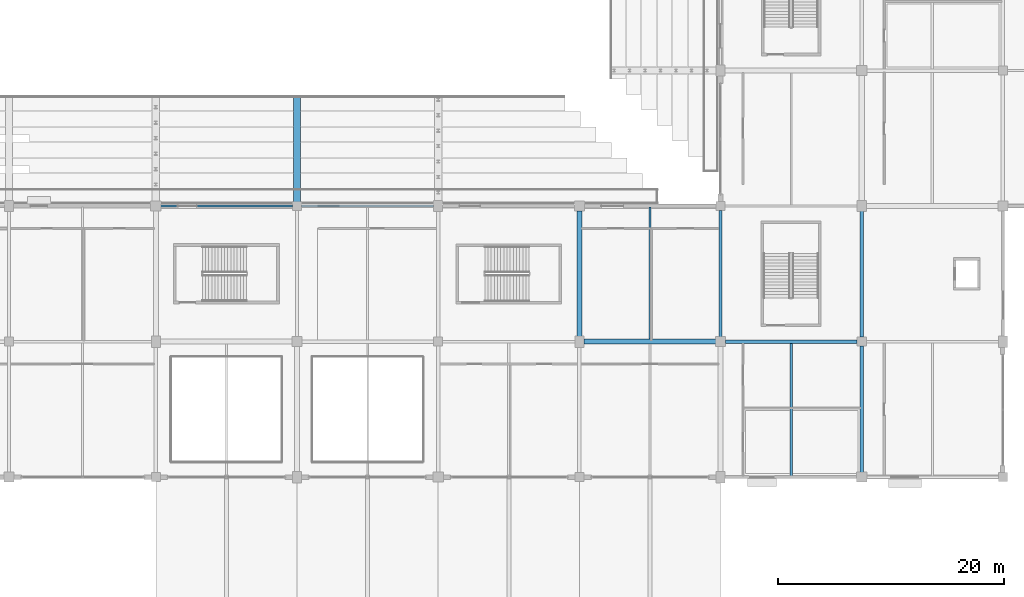
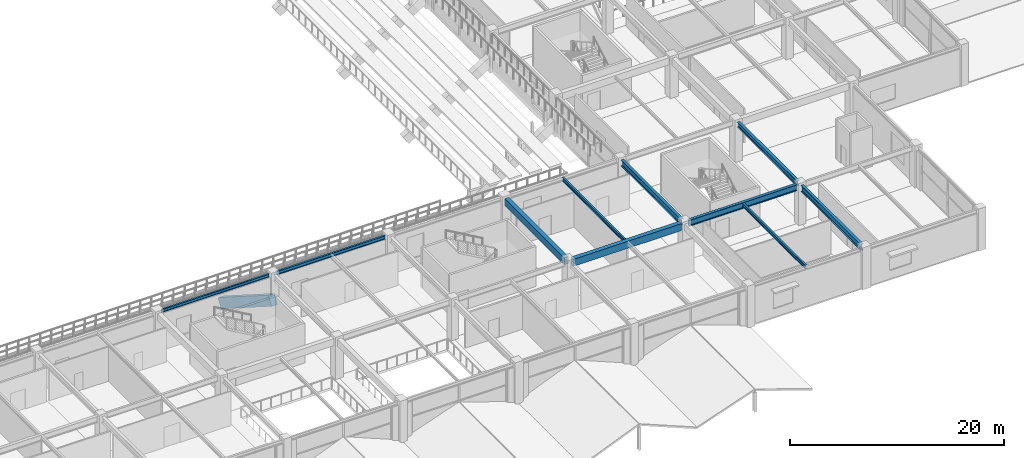
# One storey, part 32 of 134: 11 beams.
"""IFC4 building model written with IfcOpenShell, lengths in metres."""

from ifc_helpers import new_model, si_unit, direction, frame, origin, origin_2d, place, context, subcontext, project, spatial, rectangle, i_section, extrude, material, material_profile, profile_set, type_object, element, save


model = new_model("IFC4")

# Units and contexts
model_context = context("Model", 3, precision=1e-05, world=origin(), true_north=direction((0.0, 1.0)))
body_context = subcontext(model_context, "Body", "Model", "MODEL_VIEW")
ifc_project = project(units=[si_unit("LENGTHUNIT", "METRE"), si_unit("AREAUNIT", "SQUARE_METRE"), si_unit("VOLUMEUNIT", "CUBIC_METRE"), si_unit("PLANEANGLEUNIT", "RADIAN"), si_unit("MASSUNIT", "GRAM", prefix="KILO")], contexts=[model_context])

# Site, building, storey
site_placement = place(None, origin())
site = spatial("IfcSite", under=ifc_project, at=site_placement, CompositionType="ELEMENT")
building_placement = place(site_placement, origin())
building = spatial("IfcBuilding", under=site, at=building_placement, Name="Kazenohara Klinker Stadium", CompositionType="ELEMENT")
storey_placement = place(building_placement, frame((0.0, 0.0, 5.39990234375)))
storey = spatial("IfcBuildingStorey", under=building, at=storey_placement, Name="L01", CompositionType="ELEMENT", Elevation=5.39990234375)

# Beams
ifc_material_1 = material(Name="Steel S355", Category="steel")
ifc_material_profile_1 = material_profile(ifc_material_1, i_section(OverallWidth=0.199951171875, OverallDepth=0.39990234375, WebThickness=0.008056640625, FlangeThickness=0.012939453125, FilletRadius=0.012939453125, at=origin_2d()), Name="H-400x200x8x13")
ifc_profile_set_1 = profile_set([ifc_material_profile_1], Name="Steel S355")
beam_type_1 = type_object("IfcBeamType", Name="BM-JST03", PredefinedType="JOIST", material=ifc_profile_set_1)
beam_1_placement = place(storey_placement, frame((168.75, 24.22509765625, 4.35009765625), z_axis=(0.0, 1.0, 0.0), x_axis=(-1.0, 0.0, 0.0)))
element("IfcBeam", 1, at=beam_1_placement, inside=storey, type_object=beam_type_1, Name="Secondary floor joist SJ03 L01 14/C", PredefinedType="JOIST", context=body_context, shape_type="SweptSolid", body=[
    extrude(i_section(OverallWidth=0.199951171875, OverallDepth=0.39990234375, WebThickness=0.008056640625, FlangeThickness=0.012939453125, FilletRadius=0.012939453125, at=origin_2d()), origin(), (0.0, 0.0, 1.0), 11.6748046875),
])
beam_2_placement = place(storey_placement, frame((181.25, 12.08740234375, 4.35009765625), z_axis=(0.0, 1.0, 0.0), x_axis=(-1.0, 0.0, 0.0)))
element("IfcBeam", 2, at=beam_2_placement, inside=storey, type_object=beam_type_1, Name="Secondary floor joist SJ03 L01 15/B", PredefinedType="JOIST", context=body_context, shape_type="SweptSolid", body=[
    extrude(i_section(OverallWidth=0.199951171875, OverallDepth=0.39990234375, WebThickness=0.008056640625, FlangeThickness=0.012939453125, FilletRadius=0.012939453125, at=origin_2d()), origin(), (0.0, 0.0, 1.0), 11.7626953125),
])
ifc_material_2 = material(Name="Concrete C40/50", Category="concrete")
ifc_material_profile_2 = material_profile(ifc_material_2, rectangle(XDim=0.449951171875, YDim=0.800048828125, at=origin_2d()), Name="RC-BM-450x800")
ifc_profile_set_2 = profile_set([ifc_material_profile_2], Name="Concrete C40/50")
beam_type_2 = type_object("IfcBeamType", Name="BM-RC03", PredefinedType="BEAM", material=ifc_profile_set_2)
beam_3_placement = place(storey_placement, frame((162.89990234375, 24.0, 4.150146484375), z_axis=(1.0, 0.0, 0.0), x_axis=(0.0, 1.0, 0.0)))
element("IfcBeam", 3, at=beam_3_placement, inside=storey, type_object=beam_type_2, Name="Primary girder BG03 L01 14-15/C", PredefinedType="BEAM", context=body_context, shape_type="SweptSolid", body=[
    extrude(rectangle(XDim=0.449951171875, YDim=0.800048828125, at=origin_2d()), origin(), (0.0, 0.0, 1.0), 11.68017578125),
])
beam_4_placement = place(storey_placement, frame((162.5, 24.419921875, 4.150146484375), z_axis=(0.0, 1.0, 0.0), x_axis=(-1.0, 0.0, 0.0)))
element("IfcBeam", 4, at=beam_4_placement, inside=storey, type_object=beam_type_2, Name="Primary girder BG03 L01 14/C-D", PredefinedType="BEAM", context=body_context, shape_type="SweptSolid", body=[
    extrude(rectangle(XDim=0.449951171875, YDim=0.800048828125, at=origin_2d()), origin(), (0.0, 0.0, 1.0), 11.16015625),
])
ifc_material_profile_3 = material_profile(ifc_material_1, i_section(OverallWidth=0.199951171875, OverallDepth=0.39990234375, WebThickness=0.008056640625, FlangeThickness=0.012939453125, FilletRadius=0.012939453125, at=origin_2d()), Name="H-400x200x8x13")
ifc_profile_set_3 = profile_set([ifc_material_profile_3], Name="Steel S355")
beam_type_3 = type_object("IfcBeamType", Name="BM-SPD01", PredefinedType="SPANDREL", material=ifc_profile_set_3)
beam_5_placement = place(storey_placement, frame((137.89990234375, 36.0, 4.35009765625), z_axis=(1.0, 0.0, 0.0), x_axis=(0.0, 1.0, 0.0)))
element("IfcBeam", 5, at=beam_5_placement, inside=storey, type_object=beam_type_3, Name="Primary girder SP01 L01 12-13/D", PredefinedType="SPANDREL", context=body_context, shape_type="SweptSolid", body=[
    extrude(i_section(OverallWidth=0.199951171875, OverallDepth=0.39990234375, WebThickness=0.008056640625, FlangeThickness=0.012939453125, FilletRadius=0.012939453125, at=origin_2d()), origin(), (0.0, 0.0, 1.0), 11.7001953125),
])
ifc_material_profile_4 = material_profile(ifc_material_1, i_section(OverallWidth=0.175048828125, OverallDepth=0.35009765625, WebThickness=0.007080078125, FlangeThickness=0.010986328125, FilletRadius=0.012939453125, at=origin_2d()), Name="H-350x175x7x11")
ifc_profile_set_4 = profile_set([ifc_material_profile_4], Name="Steel S355")
beam_type_4 = type_object("IfcBeamType", Name="BM-SPD02", PredefinedType="SPANDREL", material=ifc_profile_set_4)
beam_6_placement = place(storey_placement, frame((125.419921875, 36.0, 4.375), z_axis=(1.0, 0.0, 0.0), x_axis=(0.0, 1.0, 0.0)))
element("IfcBeam", 6, at=beam_6_placement, inside=storey, type_object=beam_type_4, Name="Primary girder SP02 L01 11-12/D", PredefinedType="SPANDREL", context=body_context, shape_type="SweptSolid", body=[
    extrude(i_section(OverallWidth=0.175048828125, OverallDepth=0.35009765625, WebThickness=0.007080078125, FlangeThickness=0.010986328125, FilletRadius=0.012939453125, at=origin_2d()), origin(), (0.0, 0.0, 1.0), 11.68017578125),
])
ifc_material_profile_5 = material_profile(ifc_material_1, i_section(OverallWidth=0.300048828125, OverallDepth=0.699951171875, WebThickness=0.012939453125, FlangeThickness=0.02392578125, FilletRadius=0.02197265625, at=origin_2d()), Name="H-700x300x13x24")
ifc_profile_set_5 = profile_set([ifc_material_profile_5], Name="Steel S355")
beam_type_5 = type_object("IfcBeamType", Name="BM-ST03", PredefinedType="BEAM", material=ifc_profile_set_5)
beam_7_placement = place(storey_placement, frame((175.419921875, 24.0, 4.2001953125), z_axis=(1.0, 0.0, 0.0), x_axis=(0.0, 1.0, 0.0)))
element("IfcBeam", 7, at=beam_7_placement, inside=storey, type_object=beam_type_5, Name="Primary girder SB03 L01 15-16/C", PredefinedType="BEAM", context=body_context, shape_type="SweptSolid", body=[
    extrude(i_section(OverallWidth=0.300048828125, OverallDepth=0.699951171875, WebThickness=0.012939453125, FlangeThickness=0.02392578125, FilletRadius=0.02197265625, at=origin_2d()), origin(), (0.0, 0.0, 1.0), 11.68017578125),
])
for number, where, z_axis, x_axis, name in (
    (8, (175.0, 24.419921875, 4.2001953125), (0.0, 1.0, 0.0), (-1.0, 0.0, 0.0), "Primary girder SB03 L01 15/C-D"),
    (9, (187.5, 12.419921875, 4.2001953125), (0.0, 1.0, 0.0), (-1.0, 0.0, 0.0), "Primary girder SB03 L01 16/B-C"),
):
    element("IfcBeam", number, at=place(storey_placement, frame(where, z_axis=z_axis, x_axis=x_axis)), inside=storey, type_object=beam_type_5, Name=name, PredefinedType="BEAM", context=body_context, shape_type="SweptSolid", body=[
        extrude(i_section(OverallWidth=0.300048828125, OverallDepth=0.699951171875, WebThickness=0.012939453125, FlangeThickness=0.02392578125, FilletRadius=0.02197265625, at=origin_2d()), origin(), (0.0, 0.0, 1.0), 11.18017578125),
    ])
ifc_material_profile_6 = material_profile(ifc_material_1, i_section(OverallWidth=0.300048828125, OverallDepth=0.587890625, WebThickness=0.011962890625, FlangeThickness=0.02001953125, FilletRadius=0.02197265625, at=origin_2d()), Name="H-588x300x12x20")
ifc_profile_set_6 = profile_set([ifc_material_profile_6], Name="Steel S355")
beam_type_6 = type_object("IfcBeamType", Name="BM-ST05", PredefinedType="BEAM", material=ifc_profile_set_6)
beam_8_placement = place(storey_placement, frame((187.5, 24.39990234375, 4.256103515625), z_axis=(0.0, 1.0, 0.0), x_axis=(-1.0, 0.0, 0.0)))
element("IfcBeam", 10, at=beam_8_placement, inside=storey, type_object=beam_type_6, Name="Primary girder SB05 L01 16/C-D", PredefinedType="BEAM", context=body_context, shape_type="SweptSolid", body=[
    extrude(i_section(OverallWidth=0.300048828125, OverallDepth=0.587890625, WebThickness=0.011962890625, FlangeThickness=0.02001953125, FilletRadius=0.02197265625, at=origin_2d()), origin(), (0.0, 0.0, 1.0), 11.18017578125),
])
ifc_material_3 = material(Name="Precast concrete C50/60", Category="concrete")
ifc_material_profile_7 = material_profile(ifc_material_3, rectangle(XDim=0.64990234375, YDim=1.10009765625, at=origin_2d()), Name="PC-RAKER-650x1100")
ifc_profile_set_7 = profile_set([ifc_material_profile_7], Name="Precast concrete C50/60")
beam_type_7 = type_object("IfcBeamType", Name="RAKER-RK01", PredefinedType="USERDEFINED", material=ifc_profile_set_7)
beam_9_placement = place(storey_placement, frame((137.5, 36.0, 1.401611328125), z_axis=(0.0, 0.844211562005, -0.536010110518), x_axis=(-1.0, 0.0, 0.0)))
element("IfcBeam", 11, at=beam_9_placement, inside=storey, type_object=beam_type_7, Name="Precast bowl raker girder RK01 LOWER South 12", ObjectType="RAKER", PredefinedType="USERDEFINED", context=body_context, shape_type="SweptSolid", body=[
    extrude(rectangle(XDim=0.64990234375, YDim=1.10009765625, at=origin_2d()), origin(), (0.0, 0.0, 1.0), 11.19384765625),
])

save(model, "model.ifc")
